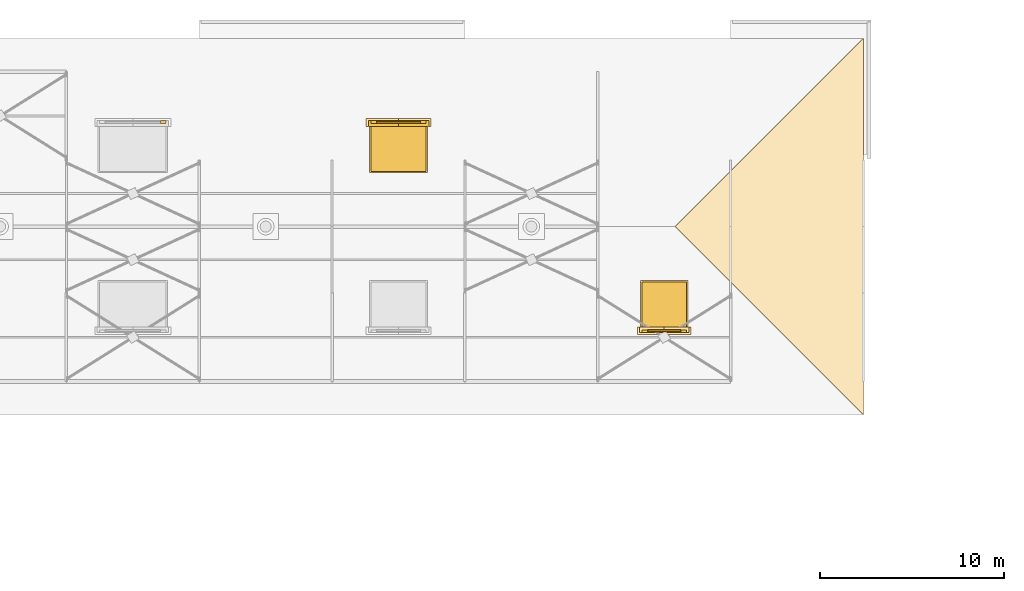
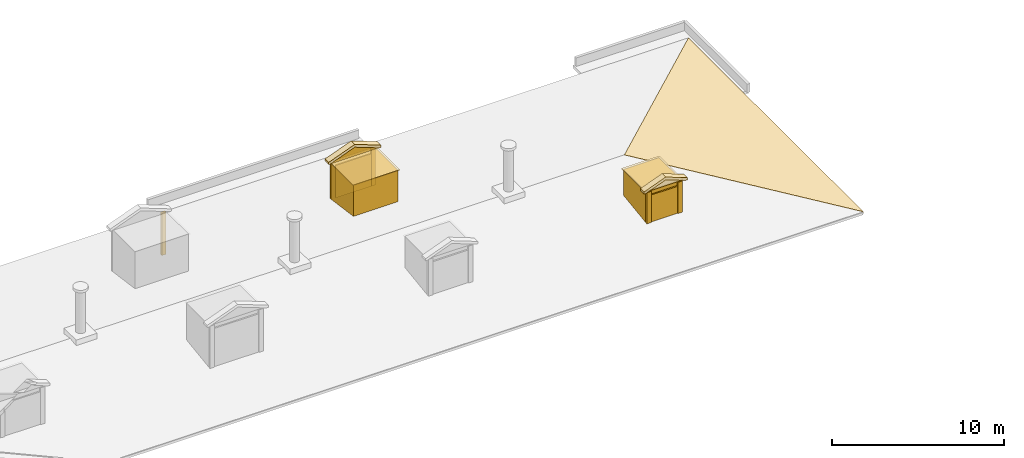
# One storey, part 22 of 24: 14 coverings, 2 shading devices.
"""IFC4 building model written with IfcOpenShell, lengths in metres."""

from ifc_helpers import new_model, si_unit, direction, frame, origin, origin_2d, place, context, subcontext, project, spatial, polyline, rectangle, outline, extrude, material, layer, layer_set, type_object, element, save


model = new_model("IFC4")

# Units and contexts
model_context = context("Model", 3, precision=1e-05, world=origin(), true_north=direction((0.0, 1.0)))
body_context = subcontext(model_context, "Body", "Model", "MODEL_VIEW")
ifc_project = project(units=[si_unit("LENGTHUNIT", "METRE"), si_unit("AREAUNIT", "SQUARE_METRE"), si_unit("VOLUMEUNIT", "CUBIC_METRE"), si_unit("PLANEANGLEUNIT", "RADIAN"), si_unit("MASSUNIT", "GRAM", prefix="KILO")], contexts=[model_context])

# Site, building, storey
site_placement = place(None, origin())
site = spatial("IfcSite", under=ifc_project, at=site_placement, CompositionType="ELEMENT")
building_placement = place(site_placement, origin())
building = spatial("IfcBuilding", under=site, at=building_placement, Name="Ussher Court Research Institute", CompositionType="ELEMENT")
storey_placement = place(building_placement, frame((0.0, 0.0, 32.39990234375)))
storey = spatial("IfcBuildingStorey", under=building, at=storey_placement, Name="L07", CompositionType="ELEMENT", Elevation=32.39990234375)

# Coverings
ifc_material_1 = material(Name="Lead sheet cladding")
covering_type_1 = type_object("IfcCoveringType", Name="Dormer body 2400x2600x2200", PredefinedType="CLADDING", material=ifc_material_1)
covering_1_placement = place(storey_placement, frame((70.199951171875, 74.0, 0.68701171875), z_axis=(1.0, 0.0, 0.0), x_axis=(0.0, 1.0, 0.0)))
element("IfcCovering", 1, at=covering_1_placement, inside=storey, type_object=covering_type_1, Name="Dormer body DM24 S5", PredefinedType="CLADDING", context=body_context, shape_type="SweptSolid", body=[
    extrude(outline(polyline([(0.0, 0.0), (2.60009765625, 0.365478515625), (2.60009765625, 2.199951171875), (0.0, 2.199951171875), (0.0, 0.0)])), origin(), (0.0, 0.0, 1.0), 2.400146484375),
])
ifc_material_2 = material(Name="Lead sheet cladding")
covering_type_2 = type_object("IfcCoveringType", Name="Dormer body 3000x2600x2600", PredefinedType="CLADDING", material=ifc_material_2)
covering_2_placement = place(storey_placement, frame((55.5, 85.199951171875, 0.68701171875), z_axis=(1.0, 0.0, 0.0), x_axis=(0.0, 1.0, 0.0)))
element("IfcCovering", 2, at=covering_2_placement, inside=storey, type_object=covering_type_2, Name="Dormer body DM30 N3", PredefinedType="CLADDING", context=body_context, shape_type="SweptSolid", body=[
    extrude(outline(polyline([(0.0, 0.0), (0.0, 2.60009765625), (-2.60009765625, 2.60009765625), (-2.60009765625, 0.365478515625), (0.0, 0.0)])), origin(), (0.0, 0.0, 1.0), 3.0),
])
ifc_material_3 = material(Name="Lead sheet cladding")
ifc_layer_1 = layer(ifc_material_3, 0.06005859375)
ifc_layer_set_1 = layer_set([ifc_layer_1], Name="Lead sheet cladding")
covering_type_3 = type_object("IfcCoveringType", Name="Dormer cap 2560x2760", PredefinedType="CLADDING", material=ifc_layer_set_1)
covering_3_placement = place(storey_placement, frame((71.39990234375, 75.300048828125, 2.886962890625), z_axis=(0.0, 0.0, 1.0), x_axis=(1.0, 0.0, 0.0)))
element("IfcCovering", 3, at=covering_3_placement, inside=storey, type_object=covering_type_3, Name="Dormer cap DC24 S5", PredefinedType="CLADDING", context=body_context, shape_type="SweptSolid", body=[
    extrude(rectangle(XDim=2.56005859375, YDim=2.760009765625, at=origin_2d()), origin(), (0.0, 0.0, 1.0), 0.06005859375),
])
ifc_material_4 = material(Name="Lead sheet cladding")
ifc_layer_2 = layer(ifc_material_4, 0.06005859375)
ifc_layer_set_2 = layer_set([ifc_layer_2], Name="Lead sheet cladding")
covering_type_4 = type_object("IfcCoveringType", Name="Dormer cap 3160x2760", PredefinedType="CLADDING", material=ifc_layer_set_2)
covering_4_placement = place(storey_placement, frame((57.0, 83.89990234375, 3.286865234375), z_axis=(0.0, 0.0, 1.0), x_axis=(1.0, 0.0, 0.0)))
element("IfcCovering", 4, at=covering_4_placement, inside=storey, type_object=covering_type_4, Name="Dormer cap DC30 N3", PredefinedType="CLADDING", context=body_context, shape_type="SweptSolid", body=[
    extrude(rectangle(XDim=3.159912109375, YDim=2.760009765625, at=origin_2d()), origin(), (0.0, 0.0, 1.0), 0.06005859375),
])
ifc_material_5 = material(Name="Limestone cornice", Category="masonry")
covering_type_5 = type_object("IfcCoveringType", Name="Dormer pilaster 300x140", PredefinedType="CLADDING", material=ifc_material_5)
for number, where, z_axis, x_axis, name in (
    (5, (70.35009765625, 73.929931640625, 0.667236328125), (0.0, 0.0, 1.0), (1.0, 0.0, 0.0), "Dormer pilaster DP1 S5"),
    (6, (72.449951171875, 73.929931640625, 0.667236328125), (0.0, 0.0, 1.0), (1.0, 0.0, 0.0), "Dormer pilaster DP1 S5"),
):
    element("IfcCovering", number, at=place(storey_placement, frame(where, z_axis=z_axis, x_axis=x_axis)), inside=storey, type_object=covering_type_5, Name=name, PredefinedType="CLADDING", context=body_context, shape_type="SweptSolid", body=[
        extrude(rectangle(XDim=0.300048828125, YDim=0.139892578125, at=origin_2d()), origin(), (0.0, 0.0, 1.0), 2.2197265625),
    ])
covering_5_placement = place(storey_placement, frame((44.25, 85.27001953125, 0.6669921875), z_axis=(0.0, 0.0, 1.0), x_axis=(1.0, 0.0, 0.0)))
element("IfcCovering", 7, at=covering_5_placement, inside=storey, type_object=covering_type_5, Name="Dormer pilaster DP1 N2", PredefinedType="CLADDING", context=body_context, shape_type="SweptSolid", body=[
    extrude(rectangle(XDim=0.300048828125, YDim=0.139892578125, at=origin_2d()), origin(), (0.0, 0.0, 1.0), 3.019775390625),
])
for number, where, z_axis, x_axis, name in (
    (8, (55.64990234375, 85.27001953125, 0.667236328125), (0.0, 0.0, 1.0), (1.0, 0.0, 0.0), "Dormer pilaster DP1 N3"),
    (9, (58.35009765625, 85.27001953125, 0.667236328125), (0.0, 0.0, 1.0), (1.0, 0.0, 0.0), "Dormer pilaster DP1 N3"),
):
    element("IfcCovering", number, at=place(storey_placement, frame(where, z_axis=z_axis, x_axis=x_axis)), inside=storey, type_object=covering_type_5, Name=name, PredefinedType="CLADDING", context=body_context, shape_type="SweptSolid", body=[
        extrude(rectangle(XDim=0.300048828125, YDim=0.139892578125, at=origin_2d()), origin(), (0.0, 0.0, 1.0), 2.61962890625),
    ])
ifc_material_6 = material(Name="Limestone cornice", Category="masonry")
covering_type_6 = type_object("IfcCoveringType", Name="Dormer raking cornice 2920", PredefinedType="CLADDING", material=ifc_material_6)
covering_6_placement = place(storey_placement, frame((71.39990234375, 73.739990234375, 2.947021484375), z_axis=(0.0, 1.0, 0.0), x_axis=(-1.0, 0.0, 0.0)))
element("IfcCovering", 10, at=covering_6_placement, inside=storey, type_object=covering_type_6, Name="Dormer rake DR24 S5", PredefinedType="CLADDING", context=body_context, shape_type="SweptSolid", body=[
    extrude(outline(polyline([(1.4599609375, 0.0), (1.4599609375, 0.154296875), (0.0, 0.709228515625), (-1.4599609375, 0.154296875), (-1.4599609375, 0.0), (-1.340087890625, 0.0), (0.0, 0.50927734375), (1.340087890625, 0.0), (1.4599609375, 0.0)])), origin(), (0.0, 0.0, 1.0), 0.419921875),
])
ifc_material_7 = material(Name="Limestone cornice", Category="masonry")
covering_type_7 = type_object("IfcCoveringType", Name="Dormer raking cornice 3520", PredefinedType="CLADDING", material=ifc_material_7)
covering_7_placement = place(storey_placement, frame((57.0, 85.0400390625, 3.346923828125), z_axis=(0.0, 1.0, 0.0), x_axis=(-1.0, 0.0, 0.0)))
element("IfcCovering", 11, at=covering_7_placement, inside=storey, type_object=covering_type_7, Name="Dormer rake DR30 N3", PredefinedType="CLADDING", context=body_context, shape_type="SweptSolid", body=[
    extrude(outline(polyline([(1.760009765625, 0.0), (1.760009765625, 0.154296875), (0.0, 0.8232421875), (-1.760009765625, 0.154296875), (-1.760009765625, 0.0), (-1.639892578125, 0.0), (0.0, 0.623291015625), (1.639892578125, 0.0), (1.760009765625, 0.0)])), origin(), (0.0, 0.0, 1.0), 0.419921875),
])
ifc_material_8 = material(Name="Limestone cornice", Category="masonry")
covering_type_8 = type_object("IfcCoveringType", Name="Dormer tympanum 2680x509", PredefinedType="CLADDING", material=ifc_material_8)
covering_8_placement = place(storey_placement, frame((71.39990234375, 73.860107421875, 2.947021484375), z_axis=(0.0, 1.0, 0.0), x_axis=(-1.0, 0.0, 0.0)))
element("IfcCovering", 12, at=covering_8_placement, inside=storey, type_object=covering_type_8, Name="Dormer tymp DT24 S5", PredefinedType="CLADDING", context=body_context, shape_type="SweptSolid", body=[
    extrude(outline(polyline([(1.340087890625, 0.0), (0.0, 0.50927734375), (-1.340087890625, 0.0), (1.340087890625, 0.0)])), origin(), (0.0, 0.0, 1.0), 0.2998046875),
])
ifc_material_9 = material(Name="Limestone cornice", Category="masonry")
covering_type_9 = type_object("IfcCoveringType", Name="Dormer tympanum 3280x623", PredefinedType="CLADDING", material=ifc_material_9)
covering_9_placement = place(storey_placement, frame((57.0, 85.0400390625, 3.346923828125), z_axis=(0.0, 1.0, 0.0), x_axis=(-1.0, 0.0, 0.0)))
element("IfcCovering", 13, at=covering_9_placement, inside=storey, type_object=covering_type_9, Name="Dormer tymp DT30 N3", PredefinedType="CLADDING", context=body_context, shape_type="SweptSolid", body=[
    extrude(outline(polyline([(1.639892578125, 0.0), (0.0, 0.623291015625), (-1.639892578125, 0.0), (1.639892578125, 0.0)])), origin(), (0.0, 0.0, 1.0), 0.300048828125),
])

# Shading devices
ifc_material_10 = material(Name="Aluminium louvre", Category="aluminium")
ifc_layer_3 = layer(ifc_material_10, 0.10009765625)
ifc_layer_set_3 = layer_set([ifc_layer_3], Name="Aluminium louvre")
shading_device_type_1 = type_object("IfcShadingDeviceType", Name="Dormer vent louvre 1800x1900", PredefinedType="USERDEFINED", material=ifc_layer_set_3)
shading_device_1_placement = place(storey_placement, frame((71.39990234375, 73.949951171875, 0.6728515625), z_axis=(0.0, 0.0, 1.0), x_axis=(1.0, 0.0, 0.0)))
element("IfcShadingDevice", 14, at=shading_device_1_placement, inside=storey, type_object=shading_device_type_1, Name="Dormer vent louvre DL24 S5", ObjectType="LOUVRE", PredefinedType="USERDEFINED", context=body_context, shape_type="SweptSolid", body=[
    extrude(rectangle(XDim=1.800048828125, YDim=0.10009765625, at=origin_2d()), origin(), (0.0, 0.0, 1.0), 1.9140625),
])
ifc_material_11 = material(Name="Aluminium louvre", Category="aluminium")
ifc_layer_4 = layer(ifc_material_11, 0.10009765625)
ifc_layer_set_4 = layer_set([ifc_layer_4], Name="Aluminium louvre")
shading_device_type_2 = type_object("IfcShadingDeviceType", Name="Dormer vent louvre 2400x2300", PredefinedType="USERDEFINED", material=ifc_layer_set_4)
shading_device_2_placement = place(storey_placement, frame((57.0, 85.25, 0.6728515625), z_axis=(0.0, 0.0, 1.0), x_axis=(1.0, 0.0, 0.0)))
element("IfcShadingDevice", 15, at=shading_device_2_placement, inside=storey, type_object=shading_device_type_2, Name="Dormer vent louvre DL30 N3", ObjectType="LOUVRE", PredefinedType="USERDEFINED", context=body_context, shape_type="SweptSolid", body=[
    extrude(rectangle(XDim=2.39990234375, YDim=0.10009765625, at=origin_2d()), origin(), (0.0, 0.0, 1.0), 2.314208984375),
])

# Covering
ifc_material_12 = material(Name="Zinc standing seam")
ifc_layer_5 = layer(ifc_material_12, 0.0400390625)
ifc_layer_set_5 = layer_set([ifc_layer_5], Name="Zinc standing seam")
covering_type_10 = type_object("IfcCoveringType", Name="Standing seam zinc covering 40", PredefinedType="ROOFING", material=ifc_layer_set_5)
covering_10_placement = place(storey_placement, frame((82.199951171875, 69.39990234375, 0.04052734375), z_axis=(0.139157864072, 0.0, 0.990270210027), x_axis=(0.0, 1.0, 0.0)))
element("IfcCovering", 16, at=covering_10_placement, inside=storey, type_object=covering_type_10, Name="Roof covering RC1 V5", PredefinedType="ROOFING", context=body_context, shape_type="SweptSolid", body=[
    extrude(outline(polyline([(0.0, 0.0), (20.400146484375, 0.0), (10.2001953125, 10.300169659346862), (0.0, 0.0)])), origin(), (0.0, 0.0, -1.0), 0.0400390625),
])

save(model, "model.ifc")
